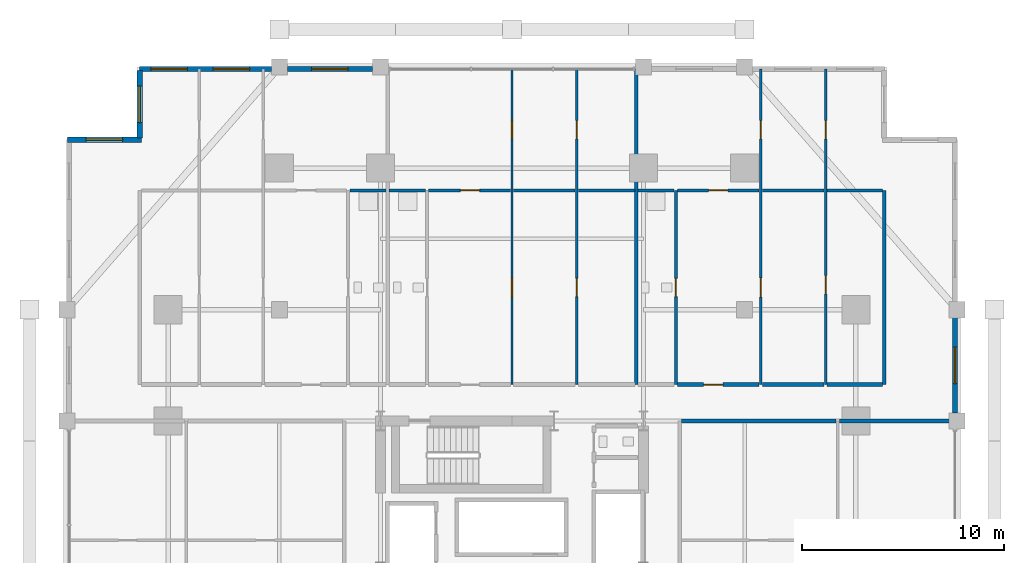
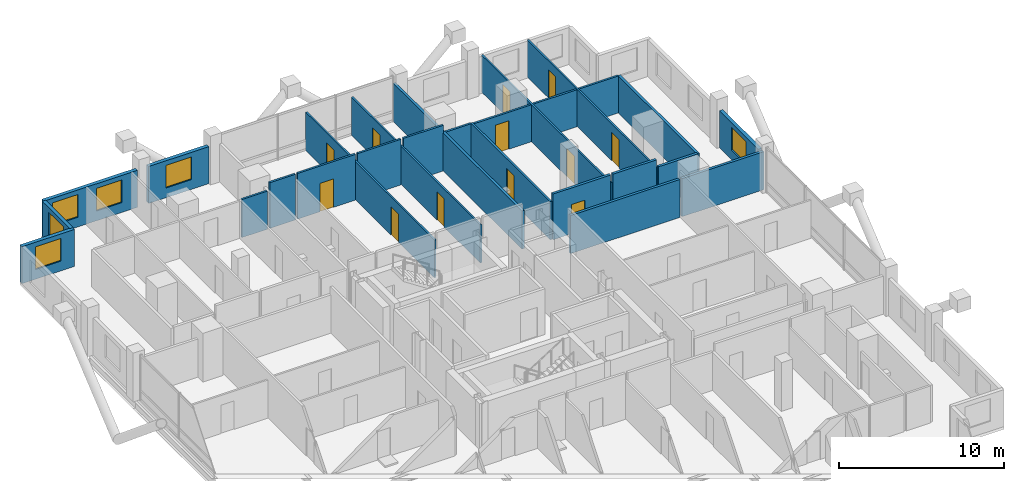
# One storey, part 21 of 24: 26 walls, 12 doors, 6 windows, 18 openings.
"""IFC4 building model written with IfcOpenShell, lengths in metres."""

from ifc_helpers import new_model, si_unit, direction, frame, frame_2d, origin, place, context, subcontext, project, spatial, rectangle, extrude, material, layer, layer_set, type_object, element, fill, save


model = new_model("IFC4")

# Units and contexts
model_context = context("Model", 3, precision=1e-05, world=origin(), true_north=direction((0.0, 1.0)))
body_context = subcontext(model_context, "Body", "Model", "MODEL_VIEW")
ifc_project = project(units=[si_unit("LENGTHUNIT", "METRE"), si_unit("AREAUNIT", "SQUARE_METRE"), si_unit("VOLUMEUNIT", "CUBIC_METRE"), si_unit("PLANEANGLEUNIT", "RADIAN"), si_unit("MASSUNIT", "GRAM", prefix="KILO")], contexts=[model_context])

# Site, building, storey
site_placement = place(None, origin())
site = spatial("IfcSite", under=ifc_project, at=site_placement, CompositionType="ELEMENT")
building_placement = place(site_placement, origin())
building = spatial("IfcBuilding", under=site, at=building_placement, Name="Barlavira Tower and Art Museum", CompositionType="ELEMENT")
storey_placement = place(building_placement, frame((0.0, 0.0, 46.800048828125)))
storey = spatial("IfcBuildingStorey", under=building, at=storey_placement, Name="L10", CompositionType="ELEMENT", Elevation=46.800048828125)

# Wall, openings, doors
ifc_material_1 = material(Name="Gypsum acoustic stud partition", Category="gypsum")
ifc_layer_1 = layer(ifc_material_1, 0.1201171875, Name="Gypsum acoustic stud partition")
ifc_layer_set_1 = layer_set([ifc_layer_1], Name="Gypsum acoustic stud partition")
wall_type_1 = type_object("IfcWallType", Name="Apartment Internal Acoustic Partition 120", PredefinedType="PARTITIONING", material=ifc_layer_set_1)
wall_1_placement = place(storey_placement, frame((0.0, 9.300048828125, 0.0), z_axis=(0.0, 0.0, 1.0), x_axis=(0.0, 1.0, 0.0)))
wall_1 = element("IfcWall", 1, at=wall_1_placement, inside=storey, type_object=wall_type_1, Name="L10 Partition Wall 15", PredefinedType="PARTITIONING", context=body_context, shape_type="SweptSolid", body=[
    extrude(rectangle(XDim=15.599853515625, YDim=0.1201171875, at=frame_2d((7.7998046875, 0.0))), origin(), (0.0, 0.0, 1.0), 2.81591796875),
])
opening_1_placement = place(wall_1_placement, frame((4.324951171875, 0.0, 0.0)))
opening_1 = element("IfcOpeningElement", 2, at=opening_1_placement, cuts=wall_1, Name="Opening D-02", PredefinedType="OPENING", context=body_context, shape_type="SweptSolid", body=[
    extrude(rectangle(XDim=0.949951171875, YDim=2.10009765625, at=frame_2d((0.47509765625, 1.050048828125))), frame((0.0, 0.070068359375, 0.0), z_axis=(0.0, -1.0, 0.0), x_axis=(1.0, 0.0, 0.0)), (0.0, 0.0, 1.0), 0.14013671875),
])
opening_2_placement = place(wall_1_placement, frame((12.14990234375, 0.0, 0.0)))
opening_2 = element("IfcOpeningElement", 3, at=opening_2_placement, cuts=wall_1, Name="Opening D-01", PredefinedType="OPENING", context=body_context, shape_type="SweptSolid", body=[
    extrude(rectangle(XDim=0.89990234375, YDim=2.10009765625, at=frame_2d((0.449951171875, 1.050048828125))), frame((0.0, 0.070068359375, 0.0), z_axis=(0.0, -1.0, 0.0), x_axis=(1.0, 0.0, 0.0)), (0.0, 0.0, 1.0), 0.14013671875),
])
ifc_material_2 = material(Name="Engineered coastal hardwood", Category="wood")
door_type_1 = type_object("IfcDoorType", Name="Internal Bedroom Timber Flush Door 900x2100", OperationType="NOTDEFINED", PredefinedType="DOOR", material=ifc_material_2)
door_1_placement = place(opening_2_placement, origin())
door_1 = element("IfcDoor", 4, at=door_1_placement, inside=storey, type_object=door_type_1, Name="Apartment N2 Bedroom 1 Door", OperationType="SINGLE_SWING_RIGHT", OverallHeight=2.10009765625, OverallWidth=0.89990234375, PredefinedType="DOOR", context=body_context, shape_type="SweptSolid", body=[
    extrude(rectangle(XDim=0.89990234375, YDim=2.10009765625, at=frame_2d((0.449951171875, 1.050048828125))), frame((0.0, 0.02490234375, 0.0), z_axis=(0.0, -1.0, 0.0), x_axis=(1.0, 0.0, 0.0)), (0.0, 0.0, 1.0), 0.050048828125),
])
fill(opening_2, door_1)
door_type_2 = type_object("IfcDoorType", Name="Living and Salon Glazed-Leaf Door 950x2100", OperationType="NOTDEFINED", PredefinedType="DOOR", material=ifc_material_2)
door_2_placement = place(opening_1_placement, origin())
door_2 = element("IfcDoor", 5, at=door_2_placement, inside=storey, type_object=door_type_2, Name="Apartment N2 Kitchen Door", OperationType="SINGLE_SWING_LEFT", OverallHeight=2.10009765625, OverallWidth=0.949951171875, PredefinedType="DOOR", context=body_context, shape_type="SweptSolid", body=[
    extrude(rectangle(XDim=0.949951171875, YDim=2.10009765625, at=frame_2d((0.47509765625, 1.050048828125))), frame((0.0, 0.02490234375, 0.0), z_axis=(0.0, -1.0, 0.0), x_axis=(1.0, 0.0, 0.0)), (0.0, 0.0, 1.0), 0.050048828125),
])
fill(opening_1, door_2)

wall_2_placement = place(storey_placement, frame((3.199951171875, 9.300048828125, 0.0), z_axis=(0.0, 0.0, 1.0), x_axis=(0.0, 1.0, 0.0)))
wall_2 = element("IfcWall", 6, at=wall_2_placement, inside=storey, type_object=wall_type_1, Name="L10 Partition Wall 17", PredefinedType="PARTITIONING", context=body_context, shape_type="SweptSolid", body=[
    extrude(rectangle(XDim=15.599853515625, YDim=0.1201171875, at=frame_2d((7.7998046875, 0.0))), origin(), (0.0, 0.0, 1.0), 2.81591796875),
])
opening_3_placement = place(wall_2_placement, frame((4.35009765625, 0.0, 0.0)))
opening_3 = element("IfcOpeningElement", 7, at=opening_3_placement, cuts=wall_2, Name="Opening D-01", PredefinedType="OPENING", context=body_context, shape_type="SweptSolid", body=[
    extrude(rectangle(XDim=0.89990234375, YDim=2.10009765625, at=frame_2d((0.449951171875, 1.050048828125))), frame((0.0, 0.070068359375, 0.0), z_axis=(0.0, -1.0, 0.0), x_axis=(1.0, 0.0, 0.0)), (0.0, 0.0, 1.0), 0.14013671875),
])
opening_4_placement = place(wall_2_placement, frame((12.14990234375, 0.0, 0.0)))
opening_4 = element("IfcOpeningElement", 8, at=opening_4_placement, cuts=wall_2, Name="Opening D-01", PredefinedType="OPENING", context=body_context, shape_type="SweptSolid", body=[
    extrude(rectangle(XDim=0.89990234375, YDim=2.10009765625, at=frame_2d((0.449951171875, 1.050048828125))), frame((0.0, 0.070068359375, 0.0), z_axis=(0.0, -1.0, 0.0), x_axis=(1.0, 0.0, 0.0)), (0.0, 0.0, 1.0), 0.14013671875),
])
door_3_placement = place(opening_3_placement, origin())
door_3 = element("IfcDoor", 9, at=door_3_placement, inside=storey, type_object=door_type_1, Name="Apartment N2 Walk-In Dressing Room Door", OperationType="SINGLE_SWING_RIGHT", OverallHeight=2.10009765625, OverallWidth=0.89990234375, PredefinedType="DOOR", context=body_context, shape_type="SweptSolid", body=[
    extrude(rectangle(XDim=0.89990234375, YDim=2.10009765625, at=frame_2d((0.449951171875, 1.050048828125))), frame((0.0, 0.02490234375, 0.0), z_axis=(0.0, -1.0, 0.0), x_axis=(1.0, 0.0, 0.0)), (0.0, 0.0, 1.0), 0.050048828125),
])
fill(opening_3, door_3)
door_4_placement = place(opening_4_placement, origin())
door_4 = element("IfcDoor", 10, at=door_4_placement, inside=storey, type_object=door_type_1, Name="Apartment N2 Sunroom Lounge 2 Door", OperationType="SINGLE_SWING_LEFT", OverallHeight=2.10009765625, OverallWidth=0.89990234375, PredefinedType="DOOR", context=body_context, shape_type="SweptSolid", body=[
    extrude(rectangle(XDim=0.89990234375, YDim=2.10009765625, at=frame_2d((0.449951171875, 1.050048828125))), frame((0.0, 0.02490234375, 0.0), z_axis=(0.0, -1.0, 0.0), x_axis=(1.0, 0.0, 0.0)), (0.0, 0.0, 1.0), 0.050048828125),
])
fill(opening_4, door_4)

wall_3_placement = place(storey_placement, frame((12.300048828125, 9.300048828125, 0.0), z_axis=(0.0, 0.0, 1.0), x_axis=(0.0, 1.0, 0.0)))
wall_3 = element("IfcWall", 11, at=wall_3_placement, inside=storey, type_object=wall_type_1, Name="L10 Partition Wall 24", PredefinedType="PARTITIONING", context=body_context, shape_type="SweptSolid", body=[
    extrude(rectangle(XDim=15.599853515625, YDim=0.1201171875, at=frame_2d((7.7998046875, 0.0))), origin(), (0.0, 0.0, 1.0), 2.73583984375),
])
opening_5_placement = place(wall_3_placement, frame((4.324951171875, 0.0, 0.0)))
opening_5 = element("IfcOpeningElement", 12, at=opening_5_placement, cuts=wall_3, Name="Opening D-02", PredefinedType="OPENING", context=body_context, shape_type="SweptSolid", body=[
    extrude(rectangle(XDim=0.949951171875, YDim=2.10009765625, at=frame_2d((0.47509765625, 1.050048828125))), frame((0.0, 0.070068359375, 0.0), z_axis=(0.0, -1.0, 0.0), x_axis=(1.0, 0.0, 0.0)), (0.0, 0.0, 1.0), 0.14013671875),
])
opening_6_placement = place(wall_3_placement, frame((12.14990234375, 0.0, 0.0)))
opening_6 = element("IfcOpeningElement", 13, at=opening_6_placement, cuts=wall_3, Name="Opening D-01", PredefinedType="OPENING", context=body_context, shape_type="SweptSolid", body=[
    extrude(rectangle(XDim=0.89990234375, YDim=2.10009765625, at=frame_2d((0.449951171875, 1.050048828125))), frame((0.0, 0.070068359375, 0.0), z_axis=(0.0, -1.0, 0.0), x_axis=(1.0, 0.0, 0.0)), (0.0, 0.0, 1.0), 0.14013671875),
])
door_5_placement = place(opening_6_placement, origin())
door_5 = element("IfcDoor", 14, at=door_5_placement, inside=storey, type_object=door_type_1, Name="Apartment N3 Bedroom 1 Door", OperationType="SINGLE_SWING_LEFT", OverallHeight=2.10009765625, OverallWidth=0.89990234375, PredefinedType="DOOR", context=body_context, shape_type="SweptSolid", body=[
    extrude(rectangle(XDim=0.89990234375, YDim=2.10009765625, at=frame_2d((0.449951171875, 1.050048828125))), frame((0.0, 0.02490234375, 0.0), z_axis=(0.0, -1.0, 0.0), x_axis=(1.0, 0.0, 0.0)), (0.0, 0.0, 1.0), 0.050048828125),
])
fill(opening_6, door_5)
door_6_placement = place(opening_5_placement, origin())
door_6 = element("IfcDoor", 15, at=door_6_placement, inside=storey, type_object=door_type_2, Name="Apartment N3 Kitchen Door", OperationType="SINGLE_SWING_RIGHT", OverallHeight=2.10009765625, OverallWidth=0.949951171875, PredefinedType="DOOR", context=body_context, shape_type="SweptSolid", body=[
    extrude(rectangle(XDim=0.949951171875, YDim=2.10009765625, at=frame_2d((0.47509765625, 1.050048828125))), frame((0.0, 0.02490234375, 0.0), z_axis=(0.0, -1.0, 0.0), x_axis=(1.0, 0.0, 0.0)), (0.0, 0.0, 1.0), 0.050048828125),
])
fill(opening_5, door_6)

wall_4_placement = place(storey_placement, frame((15.5, 9.300048828125, 0.0), z_axis=(0.0, 0.0, 1.0), x_axis=(0.0, 1.0, 0.0)))
wall_4 = element("IfcWall", 16, at=wall_4_placement, inside=storey, type_object=wall_type_1, Name="L10 Partition Wall 27", PredefinedType="PARTITIONING", context=body_context, shape_type="SweptSolid", body=[
    extrude(rectangle(XDim=15.599853515625, YDim=0.1201171875, at=frame_2d((7.7998046875, 0.0))), origin(), (0.0, 0.0, 1.0), 2.73583984375),
])
opening_7_placement = place(wall_4_placement, frame((4.478271484375, 0.0, 0.0)))
opening_7 = element("IfcOpeningElement", 17, at=opening_7_placement, cuts=wall_4, Name="Opening D-01", PredefinedType="OPENING", context=body_context, shape_type="SweptSolid", body=[
    extrude(rectangle(XDim=0.89990234375, YDim=2.10009765625, at=frame_2d((0.449951171875, 1.050048828125))), frame((0.0, 0.070068359375, 0.0), z_axis=(0.0, -1.0, 0.0), x_axis=(1.0, 0.0, 0.0)), (0.0, 0.0, 1.0), 0.14013671875),
])
opening_8_placement = place(wall_4_placement, frame((12.14990234375, 0.0, 0.0)))
opening_8 = element("IfcOpeningElement", 18, at=opening_8_placement, cuts=wall_4, Name="Opening D-01", PredefinedType="OPENING", context=body_context, shape_type="SweptSolid", body=[
    extrude(rectangle(XDim=0.89990234375, YDim=2.10009765625, at=frame_2d((0.449951171875, 1.050048828125))), frame((0.0, 0.070068359375, 0.0), z_axis=(0.0, -1.0, 0.0), x_axis=(1.0, 0.0, 0.0)), (0.0, 0.0, 1.0), 0.14013671875),
])
door_7_placement = place(opening_7_placement, origin())
door_7 = element("IfcDoor", 19, at=door_7_placement, inside=storey, type_object=door_type_1, Name="Apartment N3 Walk-In Dressing Room Door", OperationType="SINGLE_SWING_LEFT", OverallHeight=2.10009765625, OverallWidth=0.89990234375, PredefinedType="DOOR", context=body_context, shape_type="SweptSolid", body=[
    extrude(rectangle(XDim=0.89990234375, YDim=2.10009765625, at=frame_2d((0.449951171875, 1.050048828125))), frame((0.0, 0.02490234375, 0.0), z_axis=(0.0, -1.0, 0.0), x_axis=(1.0, 0.0, 0.0)), (0.0, 0.0, 1.0), 0.050048828125),
])
fill(opening_7, door_7)
door_8_placement = place(opening_8_placement, origin())
door_8 = element("IfcDoor", 20, at=door_8_placement, inside=storey, type_object=door_type_1, Name="Apartment N3 Sunroom Lounge 2 Door", OperationType="SINGLE_SWING_RIGHT", OverallHeight=2.10009765625, OverallWidth=0.89990234375, PredefinedType="DOOR", context=body_context, shape_type="SweptSolid", body=[
    extrude(rectangle(XDim=0.89990234375, YDim=2.10009765625, at=frame_2d((0.449951171875, 1.050048828125))), frame((0.0, 0.02490234375, 0.0), z_axis=(0.0, -1.0, 0.0), x_axis=(1.0, 0.0, 0.0)), (0.0, 0.0, 1.0), 0.050048828125),
])
fill(opening_8, door_8)

# Walls
ifc_layer_2 = layer(ifc_material_1, 0.179931640625, Name="Gypsum acoustic stud partition")
ifc_layer_set_2 = layer_set([ifc_layer_2], Name="Gypsum acoustic stud partition")
wall_type_2 = type_object("IfcWallType", Name="Inter-Tenancy Party Partition Wall 180", PredefinedType="PARTITIONING", material=ifc_layer_set_2)
wall_5_placement = place(storey_placement, frame((6.14990234375, 9.300048828125, 0.0), z_axis=(0.0, 0.0, 1.0), x_axis=(0.0, 1.0, 0.0)))
element("IfcWall", 21, at=wall_5_placement, inside=storey, type_object=wall_type_2, Name="L10 Partition Wall 20", PredefinedType="PARTITIONING", context=body_context, shape_type="SweptSolid", body=[
    extrude(rectangle(XDim=15.599853515625, YDim=0.179931640625, at=frame_2d((7.7998046875, 0.0))), origin(), (0.0, 0.0, 1.0), 2.81591796875),
])
wall_6_placement = place(storey_placement, frame((18.39990234375, 9.300048828125, 0.0), z_axis=(0.0, 0.0, 1.0), x_axis=(0.0, 1.0, 0.0)))
element("IfcWall", 22, at=wall_6_placement, inside=storey, type_object=wall_type_2, Name="L10 Partition Wall 31", PredefinedType="PARTITIONING", context=body_context, shape_type="SweptSolid", body=[
    extrude(rectangle(XDim=9.599853515625, YDim=0.179931640625, at=frame_2d((4.7998046875, 0.0))), origin(), (0.0, 0.0, 1.0), 2.73583984375),
])
wall_7_placement = place(storey_placement, frame((8.3798828125, 7.5, 0.0), z_axis=(0.0, 0.0, 1.0), x_axis=(1.0, 0.0, 0.0)))
element("IfcWall", 23, at=wall_7_placement, inside=storey, type_object=wall_type_2, Name="L10 Partition Wall 71", PredefinedType="PARTITIONING", context=body_context, shape_type="SweptSolid", body=[
    extrude(rectangle(XDim=7.64013671875, YDim=0.179931640625, at=frame_2d((3.820068359375, 0.0))), origin(), (0.0, 0.0, 1.0), 2.81591796875),
])
wall_8_placement = place(storey_placement, frame((16.179931640625, 7.5, 0.0), z_axis=(0.0, 0.0, 1.0), x_axis=(1.0, 0.0, 0.0)))
element("IfcWall", 24, at=wall_8_placement, inside=storey, type_object=wall_type_2, Name="L10 Partition Wall 72", PredefinedType="PARTITIONING", context=body_context, shape_type="SweptSolid", body=[
    extrude(rectangle(XDim=5.719970703125, YDim=0.179931640625, at=frame_2d((2.85986328125, 0.0))), origin(), (0.0, 0.0, 1.0), 2.81591796875),
])

# Wall, opening, door
wall_9_placement = place(storey_placement, frame((8.179931640625, 9.300048828125, 0.0), z_axis=(0.0, 0.0, 1.0), x_axis=(1.0, 0.0, 0.0)))
wall_9 = element("IfcWall", 25, at=wall_9_placement, inside=storey, type_object=wall_type_2, Name="L10 Partition Wall 82", PredefinedType="PARTITIONING", context=body_context, shape_type="SweptSolid", body=[
    extrude(rectangle(XDim=4.0400390625, YDim=0.179931640625, at=frame_2d((2.02001953125, 0.0))), origin(), (0.0, 0.0, 1.0), 3.3798828125),
])
opening_9_placement = place(wall_9_placement, frame((1.294921875, 0.0, 0.0)))
opening_9 = element("IfcOpeningElement", 26, at=opening_9_placement, cuts=wall_9, Name="Opening FD-60", PredefinedType="OPENING", context=body_context, shape_type="SweptSolid", body=[
    extrude(rectangle(XDim=0.949951171875, YDim=2.14990234375, at=frame_2d((0.47509765625, 1.074951171875))), frame((0.0, 0.10009765625, 0.0), z_axis=(0.0, -1.0, 0.0), x_axis=(1.0, 0.0, 0.0)), (0.0, 0.0, 1.0), 0.199951171875),
])
ifc_material_3 = material(Name="Brushed stainless steel", Category="steel")
door_type_3 = type_object("IfcDoorType", Name="Apartment Entrance and Riser Fire Door 950x2150 FD60S", OperationType="NOTDEFINED", PredefinedType="DOOR", material=ifc_material_3)
door_9_placement = place(opening_9_placement, origin())
door_9 = element("IfcDoor", 27, at=door_9_placement, inside=storey, type_object=door_type_3, Name="Apartment Entrance Hall N3 Door", OperationType="SINGLE_SWING_LEFT", OverallHeight=2.14990234375, OverallWidth=0.949951171875, PredefinedType="DOOR", context=body_context, shape_type="SweptSolid", body=[
    extrude(rectangle(XDim=0.949951171875, YDim=2.14990234375, at=frame_2d((0.47509765625, 1.074951171875))), frame((0.0, 0.02490234375, 0.0), z_axis=(0.0, -1.0, 0.0), x_axis=(1.0, 0.0, 0.0)), (0.0, 0.0, 1.0), 0.050048828125),
])
fill(opening_9, door_9)

# Walls
wall_10_placement = place(storey_placement, frame((12.3798828125, 9.300048828125, 0.0), z_axis=(0.0, 0.0, 1.0), x_axis=(1.0, 0.0, 0.0)))
element("IfcWall", 28, at=wall_10_placement, inside=storey, type_object=wall_type_2, Name="L10 Partition Wall 83", PredefinedType="PARTITIONING", context=body_context, shape_type="SweptSolid", body=[
    extrude(rectangle(XDim=3.0400390625, YDim=0.179931640625, at=frame_2d((1.52001953125, 0.0))), origin(), (0.0, 0.0, 1.0), 3.3798828125),
])
wall_11_placement = place(storey_placement, frame((15.580078125, 9.300048828125, 0.0), z_axis=(0.0, 0.0, 1.0), x_axis=(1.0, 0.0, 0.0)))
element("IfcWall", 29, at=wall_11_placement, inside=storey, type_object=wall_type_2, Name="L10 Partition Wall 84", PredefinedType="PARTITIONING", context=body_context, shape_type="SweptSolid", body=[
    extrude(rectangle(XDim=2.739990234375, YDim=0.179931640625, at=frame_2d((1.3701171875, 0.0))), origin(), (0.0, 0.0, 1.0), 2.81591796875),
])

# Wall, opening, door
ifc_layer_3 = layer(ifc_material_1, 0.139892578125, Name="Gypsum acoustic stud partition")
ifc_layer_set_3 = layer_set([ifc_layer_3], Name="Gypsum acoustic stud partition")
wall_type_3 = type_object("IfcWallType", Name="Moisture-Resistant Bathroom Partition 140", PredefinedType="PARTITIONING", material=ifc_layer_set_3)
wall_12_placement = place(storey_placement, frame((8.10009765625, 9.300048828125, 0.0), z_axis=(0.0, 0.0, 1.0), x_axis=(0.0, 1.0, 0.0)))
wall_12 = element("IfcWall", 30, at=wall_12_placement, inside=storey, type_object=wall_type_3, Name="L10 Partition Wall 21", PredefinedType="PARTITIONING", context=body_context, shape_type="SweptSolid", body=[
    extrude(rectangle(XDim=9.599853515625, YDim=0.139892578125, at=frame_2d((4.7998046875, 0.0))), origin(), (0.0, 0.0, 1.0), 2.81591796875),
])
opening_10_placement = place(wall_12_placement, frame((4.35009765625, 0.0, 0.0)))
opening_10 = element("IfcOpeningElement", 31, at=opening_10_placement, cuts=wall_12, Name="Opening D-WC", PredefinedType="OPENING", context=body_context, shape_type="SweptSolid", body=[
    extrude(rectangle(XDim=0.89990234375, YDim=2.10009765625, at=frame_2d((0.449951171875, 1.050048828125))), frame((0.0, 0.080078125, 0.0), z_axis=(0.0, -1.0, 0.0), x_axis=(1.0, 0.0, 0.0)), (0.0, 0.0, 1.0), 0.159912109375),
])
door_type_4 = type_object("IfcDoorType", Name="Accessible Bathroom Flush Door 900x2100", OperationType="NOTDEFINED", PredefinedType="DOOR", material=ifc_material_2)
door_10_placement = place(opening_10_placement, origin())
door_10 = element("IfcDoor", 32, at=door_10_placement, inside=storey, type_object=door_type_4, Name="Apartment N3 Hall Bathroom Door", OperationType="SINGLE_SWING_RIGHT", OverallHeight=2.10009765625, OverallWidth=0.89990234375, PredefinedType="DOOR", context=body_context, shape_type="SweptSolid", body=[
    extrude(rectangle(XDim=0.89990234375, YDim=2.10009765625, at=frame_2d((0.449951171875, 1.050048828125))), frame((0.0, 0.02490234375, 0.0), z_axis=(0.0, -1.0, 0.0), x_axis=(1.0, 0.0, 0.0)), (0.0, 0.0, 1.0), 0.050048828125),
])
fill(opening_10, door_10)

# Walls
wall_13_placement = place(storey_placement, frame((-8.02001953125, 18.89990234375, 0.0), z_axis=(0.0, 0.0, 1.0), x_axis=(1.0, 0.0, 0.0)))
element("IfcWall", 33, at=wall_13_placement, inside=storey, type_object=wall_type_3, Name="L10 Partition Wall 88", PredefinedType="PARTITIONING", context=body_context, shape_type="SweptSolid", body=[
    extrude(rectangle(XDim=1.7900390625, YDim=0.139892578125, at=frame_2d((0.89501953125, 0.0))), origin(), (0.0, 0.0, 1.0), 2.81591796875),
])
wall_14_placement = place(storey_placement, frame((-6.070068359375, 18.89990234375, 0.0), z_axis=(0.0, 0.0, 1.0), x_axis=(1.0, 0.0, 0.0)))
element("IfcWall", 34, at=wall_14_placement, inside=storey, type_object=wall_type_3, Name="L10 Partition Wall 89", PredefinedType="PARTITIONING", context=body_context, shape_type="SweptSolid", body=[
    extrude(rectangle(XDim=1.7900390625, YDim=0.139892578125, at=frame_2d((0.89501953125, 0.0))), origin(), (0.0, 0.0, 1.0), 3.3798828125),
])

# Wall, opening, door
wall_15_placement = place(storey_placement, frame((-4.1201171875, 18.89990234375, 0.0), z_axis=(0.0, 0.0, 1.0), x_axis=(1.0, 0.0, 0.0)))
wall_15 = element("IfcWall", 35, at=wall_15_placement, inside=storey, type_object=wall_type_3, Name="L10 Partition Wall 90", PredefinedType="PARTITIONING", context=body_context, shape_type="SweptSolid", body=[
    extrude(rectangle(XDim=4.0400390625, YDim=0.139892578125, at=frame_2d((2.02001953125, 0.0))), origin(), (0.0, 0.0, 1.0), 3.3798828125),
])
opening_11_placement = place(wall_15_placement, frame((1.56494140625, 0.0, 0.0)))
opening_11 = element("IfcOpeningElement", 36, at=opening_11_placement, cuts=wall_15, Name="Opening D-02", PredefinedType="OPENING", context=body_context, shape_type="SweptSolid", body=[
    extrude(rectangle(XDim=0.949951171875, YDim=2.10009765625, at=frame_2d((0.47509765625, 1.050048828125))), frame((0.0, 0.080078125, 0.0), z_axis=(0.0, -1.0, 0.0), x_axis=(1.0, 0.0, 0.0)), (0.0, 0.0, 1.0), 0.159912109375),
])
door_11_placement = place(opening_11_placement, origin())
door_11 = element("IfcDoor", 37, at=door_11_placement, inside=storey, type_object=door_type_2, Name="Apartment N2 Living Lounge Door", OperationType="SINGLE_SWING_LEFT", OverallHeight=2.10009765625, OverallWidth=0.949951171875, PredefinedType="DOOR", context=body_context, shape_type="SweptSolid", body=[
    extrude(rectangle(XDim=0.949951171875, YDim=2.10009765625, at=frame_2d((0.47509765625, 1.050048828125))), frame((0.0, 0.02490234375, 0.0), z_axis=(0.0, -1.0, 0.0), x_axis=(1.0, 0.0, 0.0)), (0.0, 0.0, 1.0), 0.050048828125),
])
fill(opening_11, door_11)

# Walls
wall_16_placement = place(storey_placement, frame((0.080078125, 18.89990234375, 0.0), z_axis=(0.0, 0.0, 1.0), x_axis=(1.0, 0.0, 0.0)))
element("IfcWall", 38, at=wall_16_placement, inside=storey, type_object=wall_type_3, Name="L10 Partition Wall 91", PredefinedType="PARTITIONING", context=body_context, shape_type="SweptSolid", body=[
    extrude(rectangle(XDim=3.0400390625, YDim=0.139892578125, at=frame_2d((1.52001953125, 0.0))), origin(), (0.0, 0.0, 1.0), 3.3798828125),
])
wall_17_placement = place(storey_placement, frame((3.280029296875, 18.89990234375, 0.0), z_axis=(0.0, 0.0, 1.0), x_axis=(1.0, 0.0, 0.0)))
element("IfcWall", 39, at=wall_17_placement, inside=storey, type_object=wall_type_3, Name="L10 Partition Wall 92", PredefinedType="PARTITIONING", context=body_context, shape_type="SweptSolid", body=[
    extrude(rectangle(XDim=2.7900390625, YDim=0.139892578125, at=frame_2d((1.39501953125, 0.0))), origin(), (0.0, 0.0, 1.0), 3.3798828125),
])
wall_18_placement = place(storey_placement, frame((6.22998046875, 18.89990234375, 0.0), z_axis=(0.0, 0.0, 1.0), x_axis=(1.0, 0.0, 0.0)))
element("IfcWall", 40, at=wall_18_placement, inside=storey, type_object=wall_type_3, Name="L10 Partition Wall 93", PredefinedType="PARTITIONING", context=body_context, shape_type="SweptSolid", body=[
    extrude(rectangle(XDim=1.7900390625, YDim=0.139892578125, at=frame_2d((0.89501953125, 0.0))), origin(), (0.0, 0.0, 1.0), 2.81591796875),
])

# Wall, opening, door
wall_19_placement = place(storey_placement, frame((8.179931640625, 18.89990234375, 0.0), z_axis=(0.0, 0.0, 1.0), x_axis=(1.0, 0.0, 0.0)))
wall_19 = element("IfcWall", 41, at=wall_19_placement, inside=storey, type_object=wall_type_3, Name="L10 Partition Wall 94", PredefinedType="PARTITIONING", context=body_context, shape_type="SweptSolid", body=[
    extrude(rectangle(XDim=4.0400390625, YDim=0.139892578125, at=frame_2d((2.02001953125, 0.0))), origin(), (0.0, 0.0, 1.0), 2.73583984375),
])
opening_12_placement = place(wall_19_placement, frame((1.534912109375, 0.0, 0.0)))
opening_12 = element("IfcOpeningElement", 42, at=opening_12_placement, cuts=wall_19, Name="Opening D-02", PredefinedType="OPENING", context=body_context, shape_type="SweptSolid", body=[
    extrude(rectangle(XDim=0.949951171875, YDim=2.10009765625, at=frame_2d((0.47509765625, 1.050048828125))), frame((0.0, 0.080078125, 0.0), z_axis=(0.0, -1.0, 0.0), x_axis=(1.0, 0.0, 0.0)), (0.0, 0.0, 1.0), 0.159912109375),
])
door_12_placement = place(opening_12_placement, origin())
door_12 = element("IfcDoor", 43, at=door_12_placement, inside=storey, type_object=door_type_2, Name="Apartment N3 Living Lounge Door", OperationType="SINGLE_SWING_RIGHT", OverallHeight=2.10009765625, OverallWidth=0.949951171875, PredefinedType="DOOR", context=body_context, shape_type="SweptSolid", body=[
    extrude(rectangle(XDim=0.949951171875, YDim=2.10009765625, at=frame_2d((0.47509765625, 1.050048828125))), frame((0.0, 0.02490234375, 0.0), z_axis=(0.0, -1.0, 0.0), x_axis=(1.0, 0.0, 0.0)), (0.0, 0.0, 1.0), 0.050048828125),
])
fill(opening_12, door_12)

# Walls
wall_20_placement = place(storey_placement, frame((12.3798828125, 18.89990234375, 0.0), z_axis=(0.0, 0.0, 1.0), x_axis=(1.0, 0.0, 0.0)))
element("IfcWall", 44, at=wall_20_placement, inside=storey, type_object=wall_type_3, Name="L10 Partition Wall 95", PredefinedType="PARTITIONING", context=body_context, shape_type="SweptSolid", body=[
    extrude(rectangle(XDim=3.0400390625, YDim=0.139892578125, at=frame_2d((1.52001953125, 0.0))), origin(), (0.0, 0.0, 1.0), 2.73583984375),
])
wall_21_placement = place(storey_placement, frame((15.580078125, 18.89990234375, 0.0), z_axis=(0.0, 0.0, 1.0), x_axis=(1.0, 0.0, 0.0)))
element("IfcWall", 45, at=wall_21_placement, inside=storey, type_object=wall_type_3, Name="L10 Partition Wall 96", PredefinedType="PARTITIONING", context=body_context, shape_type="SweptSolid", body=[
    extrude(rectangle(XDim=2.739990234375, YDim=0.139892578125, at=frame_2d((1.3701171875, 0.0))), origin(), (0.0, 0.0, 1.0), 2.73583984375),
])

# Wall, opening, window
ifc_material_4 = material(Name="Precast concrete C40", Category="concrete")
ifc_layer_4 = layer(ifc_material_4, 0.25, Name="Precast concrete C40")
ifc_layer_set_4 = layer_set([ifc_layer_4], Name="Precast concrete C40")
wall_type_4 = type_object("IfcWallType", Name="Notched Corner Spandrel Wall 250 Precast Concrete C40", PredefinedType="SOLIDWALL", material=ifc_layer_set_4)
wall_22_placement = place(storey_placement, frame((-6.89501953125, 24.89990234375, 0.0), z_axis=(0.0, 0.0, 1.0), x_axis=(-1.0, 0.0, 0.0)))
wall_22 = element("IfcWall", 46, at=wall_22_placement, inside=storey, type_object=wall_type_4, Name="L10 Coastal Facade Pier Wall CW1-L10-N-4", PredefinedType="SOLIDWALL", context=body_context, shape_type="SweptSolid", body=[
    extrude(rectangle(XDim=4.2099609375, YDim=0.25, at=frame_2d((2.10498046875, 0.0))), origin(), (0.0, 0.0, 1.0), 2.73583984375),
])
opening_13_placement = place(wall_22_placement, frame((1.205078125, 0.0, 0.719970703125)))
opening_13 = element("IfcOpeningElement", 47, at=opening_13_placement, cuts=wall_22, Name="Opening WN-01", PredefinedType="OPENING", context=body_context, shape_type="SweptSolid", body=[
    extrude(rectangle(XDim=1.800048828125, YDim=1.679931640625, at=frame_2d((0.89990234375, 0.83984375))), frame((0.0, 0.135009765625, 0.0), z_axis=(0.0, -1.0, 0.0), x_axis=(1.0, 0.0, 0.0)), (0.0, 0.0, 1.0), 0.27001953125),
])
ifc_material_5 = material(Name="Low-iron coastal laminated glass", Category="glass")
window_type = type_object("IfcWindowType", Name="Recessed Notch Corner Punch Window 1800x1680", PartitioningType="SINGLE_PANEL", PredefinedType="WINDOW", material=ifc_material_5)
window_1_placement = place(opening_13_placement, origin())
window_1 = element("IfcWindow", 48, at=window_1_placement, inside=storey, type_object=window_type, Name="L10 Punched Facade Window EWP-CW1-L10-N-4-1", OverallHeight=1.679931640625, OverallWidth=1.800048828125, PartitioningType="SINGLE_PANEL", PredefinedType="WINDOW", context=body_context, shape_type="SweptSolid", body=[
    extrude(rectangle(XDim=1.800048828125, YDim=1.679931640625, at=frame_2d((0.89990234375, 0.83984375))), frame((0.0, 0.030029296875, 0.0), z_axis=(0.0, -1.0, 0.0), x_axis=(1.0, 0.0, 0.0)), (0.0, 0.0, 1.0), 0.06005859375),
])
fill(opening_13, window_1)

# Wall, openings, windows
wall_23_placement = place(storey_placement, frame((-11.89501953125, 24.89990234375, 0.0), z_axis=(0.0, 0.0, 1.0), x_axis=(-1.0, 0.0, 0.0)))
wall_23 = element("IfcWall", 49, at=wall_23_placement, inside=storey, type_object=wall_type_4, Name="L10 Coastal Facade Pier Wall CW1-L10-N-5", PredefinedType="SOLIDWALL", context=body_context, shape_type="SweptSolid", body=[
    extrude(rectangle(XDim=6.530029296875, YDim=0.25, at=frame_2d((3.26513671875, 0.0))), origin(), (0.0, 0.0, 1.0), 2.73583984375),
])
opening_14_placement = place(wall_23_placement, frame((1.080078125, 0.0, 0.719970703125)))
opening_14 = element("IfcOpeningElement", 50, at=opening_14_placement, cuts=wall_23, Name="Opening WN-01", PredefinedType="OPENING", context=body_context, shape_type="SweptSolid", body=[
    extrude(rectangle(XDim=1.800048828125, YDim=1.679931640625, at=frame_2d((0.89990234375, 0.83984375))), frame((0.0, 0.135009765625, 0.0), z_axis=(0.0, -1.0, 0.0), x_axis=(1.0, 0.0, 0.0)), (0.0, 0.0, 1.0), 0.27001953125),
])
opening_15_placement = place(wall_23_placement, frame((4.153076171875, 0.0, 0.719970703125)))
opening_15 = element("IfcOpeningElement", 51, at=opening_15_placement, cuts=wall_23, Name="Opening WN-01", PredefinedType="OPENING", context=body_context, shape_type="SweptSolid", body=[
    extrude(rectangle(XDim=1.800048828125, YDim=1.679931640625, at=frame_2d((0.89990234375, 0.83984375))), frame((0.0, 0.135009765625, 0.0), z_axis=(0.0, -1.0, 0.0), x_axis=(1.0, 0.0, 0.0)), (0.0, 0.0, 1.0), 0.27001953125),
])
window_2_placement = place(opening_14_placement, origin())
window_2 = element("IfcWindow", 52, at=window_2_placement, inside=storey, type_object=window_type, Name="L10 Punched Facade Window EWP-CW1-L10-N-5-1", OverallHeight=1.679931640625, OverallWidth=1.800048828125, PartitioningType="SINGLE_PANEL", PredefinedType="WINDOW", context=body_context, shape_type="SweptSolid", body=[
    extrude(rectangle(XDim=1.800048828125, YDim=1.679931640625, at=frame_2d((0.89990234375, 0.83984375))), frame((0.0, 0.030029296875, 0.0), z_axis=(0.0, -1.0, 0.0), x_axis=(1.0, 0.0, 0.0)), (0.0, 0.0, 1.0), 0.06005859375),
])
fill(opening_14, window_2)
window_3_placement = place(opening_15_placement, origin())
window_3 = element("IfcWindow", 53, at=window_3_placement, inside=storey, type_object=window_type, Name="L10 Punched Facade Window EWP-CW1-L10-N-5-2", OverallHeight=1.679931640625, OverallWidth=1.800048828125, PartitioningType="SINGLE_PANEL", PredefinedType="WINDOW", context=body_context, shape_type="SweptSolid", body=[
    extrude(rectangle(XDim=1.800048828125, YDim=1.679931640625, at=frame_2d((0.89990234375, 0.83984375))), frame((0.0, 0.030029296875, 0.0), z_axis=(0.0, -1.0, 0.0), x_axis=(1.0, 0.0, 0.0)), (0.0, 0.0, 1.0), 0.06005859375),
])
fill(opening_15, window_3)

# Wall, opening, window
wall_24_placement = place(storey_placement, frame((21.89990234375, 7.89501953125, 0.0), z_axis=(0.0, 0.0, 1.0), x_axis=(0.0, 1.0, 0.0)))
wall_24 = element("IfcWall", 54, at=wall_24_placement, inside=storey, type_object=wall_type_4, Name="L10 Coastal Facade Pier Wall CW1-L10-E-4", PredefinedType="SOLIDWALL", context=body_context, shape_type="SweptSolid", body=[
    extrude(rectangle(XDim=4.7099609375, YDim=0.25, at=frame_2d((2.35498046875, 0.0))), origin(), (0.0, 0.0, 1.0), 2.73583984375),
])
opening_16_placement = place(wall_24_placement, frame((1.455078125, 0.0, 0.719970703125)))
opening_16 = element("IfcOpeningElement", 55, at=opening_16_placement, cuts=wall_24, Name="Opening WN-01", PredefinedType="OPENING", context=body_context, shape_type="SweptSolid", body=[
    extrude(rectangle(XDim=1.800048828125, YDim=1.679931640625, at=frame_2d((0.89990234375, 0.83984375))), frame((0.0, 0.135009765625, 0.0), z_axis=(0.0, -1.0, 0.0), x_axis=(1.0, 0.0, 0.0)), (0.0, 0.0, 1.0), 0.27001953125),
])
window_4_placement = place(opening_16_placement, origin())
window_4 = element("IfcWindow", 56, at=window_4_placement, inside=storey, type_object=window_type, Name="L10 Punched Facade Window EWP-CW1-L10-E-4-1", OverallHeight=1.679931640625, OverallWidth=1.800048828125, PartitioningType="SINGLE_PANEL", PredefinedType="WINDOW", context=body_context, shape_type="SweptSolid", body=[
    extrude(rectangle(XDim=1.800048828125, YDim=1.679931640625, at=frame_2d((0.89990234375, 0.83984375))), frame((0.0, 0.030029296875, 0.0), z_axis=(0.0, -1.0, 0.0), x_axis=(1.0, 0.0, 0.0)), (0.0, 0.0, 1.0), 0.06005859375),
])
fill(opening_16, window_4)

wall_25_placement = place(storey_placement, frame((-18.39990234375, 24.820068359375, 0.0), z_axis=(0.0, 0.0, 1.0), x_axis=(0.0, -1.0, 0.0)))
wall_25 = element("IfcWall", 57, at=wall_25_placement, inside=storey, type_object=wall_type_4, Name="L10 Notch Corner Wall NW1", PredefinedType="SOLIDWALL", context=body_context, shape_type="SweptSolid", body=[
    extrude(rectangle(XDim=3.340087890625, YDim=0.25, at=frame_2d((1.669921875, 0.0))), origin(), (0.0, 0.0, 1.0), 2.73583984375),
])
opening_17_placement = place(wall_25_placement, frame((0.77001953125, 0.0, 0.719970703125)))
opening_17 = element("IfcOpeningElement", 58, at=opening_17_placement, cuts=wall_25, Name="Opening WN-01", PredefinedType="OPENING", context=body_context, shape_type="SweptSolid", body=[
    extrude(rectangle(XDim=1.800048828125, YDim=1.679931640625, at=frame_2d((0.89990234375, 0.83984375))), frame((0.0, 0.135009765625, 0.0), z_axis=(0.0, -1.0, 0.0), x_axis=(1.0, 0.0, 0.0)), (0.0, 0.0, 1.0), 0.27001953125),
])
window_5_placement = place(opening_17_placement, origin())
window_5 = element("IfcWindow", 59, at=window_5_placement, inside=storey, type_object=window_type, Name="L10 Punched Facade Window EW-NTC-L10-NW1-1", OverallHeight=1.679931640625, OverallWidth=1.800048828125, PartitioningType="SINGLE_PANEL", PredefinedType="WINDOW", context=body_context, shape_type="SweptSolid", body=[
    extrude(rectangle(XDim=1.800048828125, YDim=1.679931640625, at=frame_2d((0.89990234375, 0.83984375))), frame((0.0, 0.030029296875, 0.0), z_axis=(0.0, -1.0, 0.0), x_axis=(1.0, 0.0, 0.0)), (0.0, 0.0, 1.0), 0.06005859375),
])
fill(opening_17, window_5)

wall_26_placement = place(storey_placement, frame((-18.320068359375, 21.39990234375, 0.0), z_axis=(0.0, 0.0, 1.0), x_axis=(-1.0, 0.0, 0.0)))
wall_26 = element("IfcWall", 60, at=wall_26_placement, inside=storey, type_object=wall_type_4, Name="L10 Notch Corner Wall NW2", PredefinedType="SOLIDWALL", context=body_context, shape_type="SweptSolid", body=[
    extrude(rectangle(XDim=3.659912109375, YDim=0.25, at=frame_2d((1.830078125, 0.0))), origin(), (0.0, 0.0, 1.0), 2.73583984375),
])
opening_18_placement = place(wall_26_placement, frame((0.929931640625, 0.0, 0.719970703125)))
opening_18 = element("IfcOpeningElement", 61, at=opening_18_placement, cuts=wall_26, Name="Opening WN-01", PredefinedType="OPENING", context=body_context, shape_type="SweptSolid", body=[
    extrude(rectangle(XDim=1.800048828125, YDim=1.679931640625, at=frame_2d((0.89990234375, 0.83984375))), frame((0.0, 0.135009765625, 0.0), z_axis=(0.0, -1.0, 0.0), x_axis=(1.0, 0.0, 0.0)), (0.0, 0.0, 1.0), 0.27001953125),
])
window_6_placement = place(opening_18_placement, origin())
window_6 = element("IfcWindow", 62, at=window_6_placement, inside=storey, type_object=window_type, Name="L10 Punched Facade Window EW-NTC-L10-NW2-1", OverallHeight=1.679931640625, OverallWidth=1.800048828125, PartitioningType="SINGLE_PANEL", PredefinedType="WINDOW", context=body_context, shape_type="SweptSolid", body=[
    extrude(rectangle(XDim=1.800048828125, YDim=1.679931640625, at=frame_2d((0.89990234375, 0.83984375))), frame((0.0, 0.030029296875, 0.0), z_axis=(0.0, -1.0, 0.0), x_axis=(1.0, 0.0, 0.0)), (0.0, 0.0, 1.0), 0.06005859375),
])
fill(opening_18, window_6)

save(model, "model.ifc")
